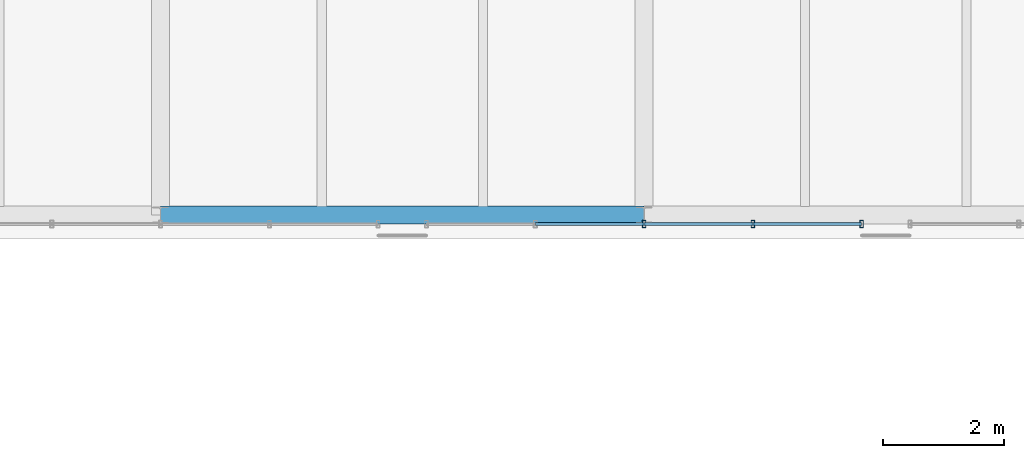
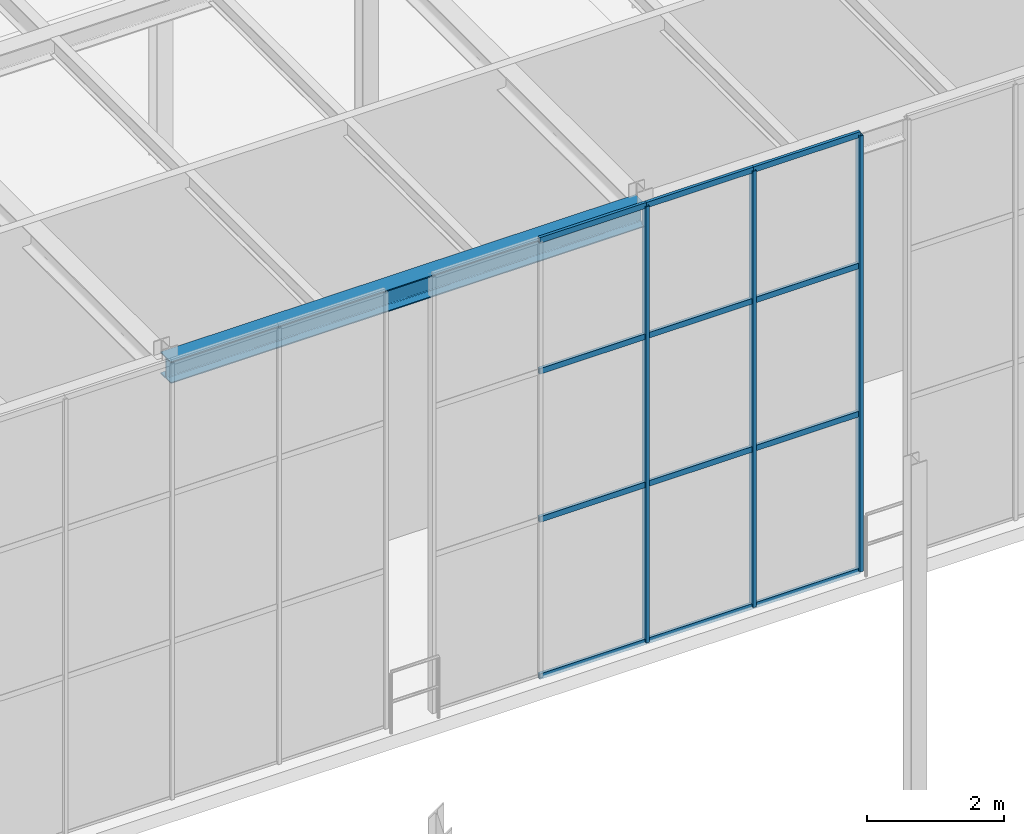
# One storey, part 59 of 138: 15 members, 1 beam, 1 element without a shape of its own.
"""IFC4 building model written with IfcOpenShell, lengths in metres."""

from ifc_helpers import new_model, si_unit, direction, frame, origin, origin_2d, place, context, subcontext, project, spatial, hollow_rectangle, i_section, extrude, material, material_profile, profile_set, type_object, element, aggregate, save


model = new_model("IFC4")

# Units and contexts
model_context = context("Model", 3, precision=1e-05, world=origin(), true_north=direction((0.0, 1.0)))
body_context = subcontext(model_context, "Body", "Model", "MODEL_VIEW")
ifc_project = project(units=[si_unit("LENGTHUNIT", "METRE"), si_unit("AREAUNIT", "SQUARE_METRE"), si_unit("VOLUMEUNIT", "CUBIC_METRE"), si_unit("PLANEANGLEUNIT", "RADIAN"), si_unit("MASSUNIT", "GRAM", prefix="KILO")], contexts=[model_context])

# Site, building, storey
site_placement = place(None, origin())
site = spatial("IfcSite", under=ifc_project, at=site_placement, CompositionType="ELEMENT")
building_placement = place(site_placement, origin())
building = spatial("IfcBuilding", under=site, at=building_placement, Name="Sundkrona Museum", CompositionType="ELEMENT")
storey_placement = place(building_placement, frame((0.0, 0.0, 9.60009765625)))
storey = spatial("IfcBuildingStorey", under=building, at=storey_placement, Name="L02", CompositionType="ELEMENT", Elevation=9.60009765625)

# Beam
ifc_material_1 = material(Name="Steel S355J2", Category="steel")
ifc_material_profile_1 = material_profile(ifc_material_1, i_section(OverallWidth=0.300048828125, OverallDepth=0.389892578125, WebThickness=0.010986328125, FlangeThickness=0.01904296875, FilletRadius=0.027099609375, at=origin_2d()), Name="HEA 400")
ifc_profile_set_1 = profile_set([ifc_material_profile_1], Name="Steel S355J2")
beam_type = type_object("IfcBeamType", Name="B-HEA400", PredefinedType="BEAM", material=ifc_profile_set_1)
beam_placement = place(storey_placement, frame((24.0, 94.0, 7.56494140625), z_axis=(1.0, 0.0, 0.0), x_axis=(0.0, 1.0, 0.0)))
element("IfcBeam", 1, at=beam_placement, inside=storey, type_object=beam_type, Name="L02 Girder X-1212", PredefinedType="BEAM", context=body_context, shape_type="SweptSolid", body=[
    extrude(i_section(OverallWidth=0.300048828125, OverallDepth=0.389892578125, WebThickness=0.010986328125, FlangeThickness=0.01904296875, FilletRadius=0.027099609375, at=origin_2d()), origin(), (0.0, 0.0, 1.0), 8.0),
])

# Curtain wall, members
ifc_material_2 = material(Name="Unitised Aluminium-Steel and Ceramic-Clad Curtain Walling", Category="steel")
curtain_wall_type = type_object("IfcCurtainWallType", Name="CW-CL-64x48", PredefinedType="NOTDEFINED", material=ifc_material_2)
curtain_wall_placement = place(storey_placement, origin())
curtain_wall = element("IfcCurtainWall", 2, at=curtain_wall_placement, inside=storey, type_object=curtain_wall_type, Name="L02 Curtain Wall CW-L02-133", PredefinedType="NOTDEFINED")
ifc_material_3 = material(Name="Aluminium EN AW-6060 T66", Category="aluminium")
ifc_material_profile_2 = material_profile(ifc_material_3, hollow_rectangle(XDim=0.06005859375, YDim=0.1201171875, WallThickness=0.0048828125, at=origin_2d()), Name="RHS 120x60x5.0")
ifc_profile_set_2 = profile_set([ifc_material_profile_2], Name="Aluminium EN AW-6060 T66")
member_type_1 = type_object("IfcMemberType", Name="ML-120", PredefinedType="MULLION", material=ifc_profile_set_2)
member_1_placement = place(storey_placement, frame((32.0, 93.85009765625, -0.004150390625), z_axis=(0.0, 0.0, 1.0), x_axis=(1.0, 0.0, 0.0)))
member_1 = element("IfcMember", 3, at=member_1_placement, type_object=member_type_1, Name="CW-L02-133 Mullion 03", PredefinedType="MULLION", context=body_context, shape_type="SweptSolid", body=[
    extrude(hollow_rectangle(XDim=0.06005859375, YDim=0.1201171875, WallThickness=0.0048828125, at=origin_2d()), origin(), (0.0, 0.0, 1.0), 7.76806640625),
])
member_2_placement = place(storey_placement, frame((33.800048828125, 93.85009765625, -0.004150390625), z_axis=(0.0, 0.0, 1.0), x_axis=(1.0, 0.0, 0.0)))
member_2 = element("IfcMember", 4, at=member_2_placement, type_object=member_type_1, Name="CW-L02-133 Mullion 04", PredefinedType="MULLION", context=body_context, shape_type="SweptSolid", body=[
    extrude(hollow_rectangle(XDim=0.06005859375, YDim=0.1201171875, WallThickness=0.0048828125, at=origin_2d()), origin(), (0.0, 0.0, 1.0), 7.76806640625),
])
member_3_placement = place(storey_placement, frame((35.60009765625, 93.85009765625, -0.004150390625), z_axis=(0.0, 0.0, 1.0), x_axis=(1.0, 0.0, 0.0)))
member_3 = element("IfcMember", 5, at=member_3_placement, type_object=member_type_1, Name="CW-L02-133 Mullion 05", PredefinedType="MULLION", context=body_context, shape_type="SweptSolid", body=[
    extrude(hollow_rectangle(XDim=0.06005859375, YDim=0.1201171875, WallThickness=0.0048828125, at=origin_2d()), origin(), (0.0, 0.0, 1.0), 7.76806640625),
])
ifc_material_profile_3 = material_profile(ifc_material_3, hollow_rectangle(XDim=0.050048828125, YDim=0.10009765625, WallThickness=0.0048828125, at=origin_2d()), Name="RHS 100x50x5.0")
ifc_profile_set_3 = profile_set([ifc_material_profile_3], Name="Aluminium EN AW-6060 T66")
member_type_2 = type_object("IfcMemberType", Name="TR-100", PredefinedType="USERDEFINED", material=ifc_profile_set_3)
member_4_placement = place(storey_placement, frame((30.199951171875, 93.85009765625, -0.004150390625), z_axis=(1.0, 0.0, 0.0), x_axis=(0.0, 1.0, 0.0)))
member_4 = element("IfcMember", 6, at=member_4_placement, type_object=member_type_2, Name="CW-L02-133 Transom 05", ObjectType="TRANSOM", PredefinedType="USERDEFINED", context=body_context, shape_type="SweptSolid", body=[
    extrude(hollow_rectangle(XDim=0.050048828125, YDim=0.10009765625, WallThickness=0.0048828125, at=origin_2d()), origin(), (0.0, 0.0, 1.0), 1.800048828125),
])
member_5_placement = place(storey_placement, frame((30.199951171875, 93.85009765625, 2.7939453125), z_axis=(1.0, 0.0, 0.0), x_axis=(0.0, 1.0, 0.0)))
member_5 = element("IfcMember", 7, at=member_5_placement, type_object=member_type_2, Name="CW-L02-133 Transom 06", ObjectType="TRANSOM", PredefinedType="USERDEFINED", context=body_context, shape_type="SweptSolid", body=[
    extrude(hollow_rectangle(XDim=0.050048828125, YDim=0.10009765625, WallThickness=0.0048828125, at=origin_2d()), origin(), (0.0, 0.0, 1.0), 1.800048828125),
])
member_6_placement = place(storey_placement, frame((30.199951171875, 93.85009765625, 5.431884765625), z_axis=(1.0, 0.0, 0.0), x_axis=(0.0, 1.0, 0.0)))
member_6 = element("IfcMember", 8, at=member_6_placement, type_object=member_type_2, Name="CW-L02-133 Transom 07", ObjectType="TRANSOM", PredefinedType="USERDEFINED", context=body_context, shape_type="SweptSolid", body=[
    extrude(hollow_rectangle(XDim=0.050048828125, YDim=0.10009765625, WallThickness=0.0048828125, at=origin_2d()), origin(), (0.0, 0.0, 1.0), 1.800048828125),
])
member_7_placement = place(storey_placement, frame((30.199951171875, 93.85009765625, 7.763916015625), z_axis=(1.0, 0.0, 0.0), x_axis=(0.0, 1.0, 0.0)))
member_7 = element("IfcMember", 9, at=member_7_placement, type_object=member_type_2, Name="CW-L02-133 Transom 08", ObjectType="TRANSOM", PredefinedType="USERDEFINED", context=body_context, shape_type="SweptSolid", body=[
    extrude(hollow_rectangle(XDim=0.050048828125, YDim=0.10009765625, WallThickness=0.0048828125, at=origin_2d()), origin(), (0.0, 0.0, 1.0), 1.800048828125),
])
member_8_placement = place(storey_placement, frame((32.0, 93.85009765625, -0.004150390625), z_axis=(1.0, 0.0, 0.0), x_axis=(0.0, 1.0, 0.0)))
member_8 = element("IfcMember", 10, at=member_8_placement, type_object=member_type_2, Name="CW-L02-133 Transom 09", ObjectType="TRANSOM", PredefinedType="USERDEFINED", context=body_context, shape_type="SweptSolid", body=[
    extrude(hollow_rectangle(XDim=0.050048828125, YDim=0.10009765625, WallThickness=0.0048828125, at=origin_2d()), origin(), (0.0, 0.0, 1.0), 1.800048828125),
])
member_9_placement = place(storey_placement, frame((32.0, 93.85009765625, 2.7939453125), z_axis=(1.0, 0.0, 0.0), x_axis=(0.0, 1.0, 0.0)))
member_9 = element("IfcMember", 11, at=member_9_placement, type_object=member_type_2, Name="CW-L02-133 Transom 10", ObjectType="TRANSOM", PredefinedType="USERDEFINED", context=body_context, shape_type="SweptSolid", body=[
    extrude(hollow_rectangle(XDim=0.050048828125, YDim=0.10009765625, WallThickness=0.0048828125, at=origin_2d()), origin(), (0.0, 0.0, 1.0), 1.800048828125),
])
member_10_placement = place(storey_placement, frame((32.0, 93.85009765625, 5.431884765625), z_axis=(1.0, 0.0, 0.0), x_axis=(0.0, 1.0, 0.0)))
member_10 = element("IfcMember", 12, at=member_10_placement, type_object=member_type_2, Name="CW-L02-133 Transom 11", ObjectType="TRANSOM", PredefinedType="USERDEFINED", context=body_context, shape_type="SweptSolid", body=[
    extrude(hollow_rectangle(XDim=0.050048828125, YDim=0.10009765625, WallThickness=0.0048828125, at=origin_2d()), origin(), (0.0, 0.0, 1.0), 1.800048828125),
])
member_11_placement = place(storey_placement, frame((32.0, 93.85009765625, 7.763916015625), z_axis=(1.0, 0.0, 0.0), x_axis=(0.0, 1.0, 0.0)))
member_11 = element("IfcMember", 13, at=member_11_placement, type_object=member_type_2, Name="CW-L02-133 Transom 12", ObjectType="TRANSOM", PredefinedType="USERDEFINED", context=body_context, shape_type="SweptSolid", body=[
    extrude(hollow_rectangle(XDim=0.050048828125, YDim=0.10009765625, WallThickness=0.0048828125, at=origin_2d()), origin(), (0.0, 0.0, 1.0), 1.800048828125),
])
member_12_placement = place(storey_placement, frame((33.800048828125, 93.85009765625, -0.004150390625), z_axis=(1.0, 0.0, 0.0), x_axis=(0.0, 1.0, 0.0)))
member_12 = element("IfcMember", 14, at=member_12_placement, type_object=member_type_2, Name="CW-L02-133 Transom 13", ObjectType="TRANSOM", PredefinedType="USERDEFINED", context=body_context, shape_type="SweptSolid", body=[
    extrude(hollow_rectangle(XDim=0.050048828125, YDim=0.10009765625, WallThickness=0.0048828125, at=origin_2d()), origin(), (0.0, 0.0, 1.0), 1.800048828125),
])
member_13_placement = place(storey_placement, frame((33.800048828125, 93.85009765625, 2.7939453125), z_axis=(1.0, 0.0, 0.0), x_axis=(0.0, 1.0, 0.0)))
member_13 = element("IfcMember", 15, at=member_13_placement, type_object=member_type_2, Name="CW-L02-133 Transom 14", ObjectType="TRANSOM", PredefinedType="USERDEFINED", context=body_context, shape_type="SweptSolid", body=[
    extrude(hollow_rectangle(XDim=0.050048828125, YDim=0.10009765625, WallThickness=0.0048828125, at=origin_2d()), origin(), (0.0, 0.0, 1.0), 1.800048828125),
])
member_14_placement = place(storey_placement, frame((33.800048828125, 93.85009765625, 5.431884765625), z_axis=(1.0, 0.0, 0.0), x_axis=(0.0, 1.0, 0.0)))
member_14 = element("IfcMember", 16, at=member_14_placement, type_object=member_type_2, Name="CW-L02-133 Transom 15", ObjectType="TRANSOM", PredefinedType="USERDEFINED", context=body_context, shape_type="SweptSolid", body=[
    extrude(hollow_rectangle(XDim=0.050048828125, YDim=0.10009765625, WallThickness=0.0048828125, at=origin_2d()), origin(), (0.0, 0.0, 1.0), 1.800048828125),
])
member_15_placement = place(storey_placement, frame((33.800048828125, 93.85009765625, 7.763916015625), z_axis=(1.0, 0.0, 0.0), x_axis=(0.0, 1.0, 0.0)))
member_15 = element("IfcMember", 17, at=member_15_placement, type_object=member_type_2, Name="CW-L02-133 Transom 16", ObjectType="TRANSOM", PredefinedType="USERDEFINED", context=body_context, shape_type="SweptSolid", body=[
    extrude(hollow_rectangle(XDim=0.050048828125, YDim=0.10009765625, WallThickness=0.0048828125, at=origin_2d()), origin(), (0.0, 0.0, 1.0), 1.800048828125),
])
aggregate(curtain_wall, [member_1, member_2, member_3, member_4, member_5, member_6, member_7, member_8, member_9, member_10, member_11, member_12, member_13, member_14, member_15])

save(model, "model.ifc")
